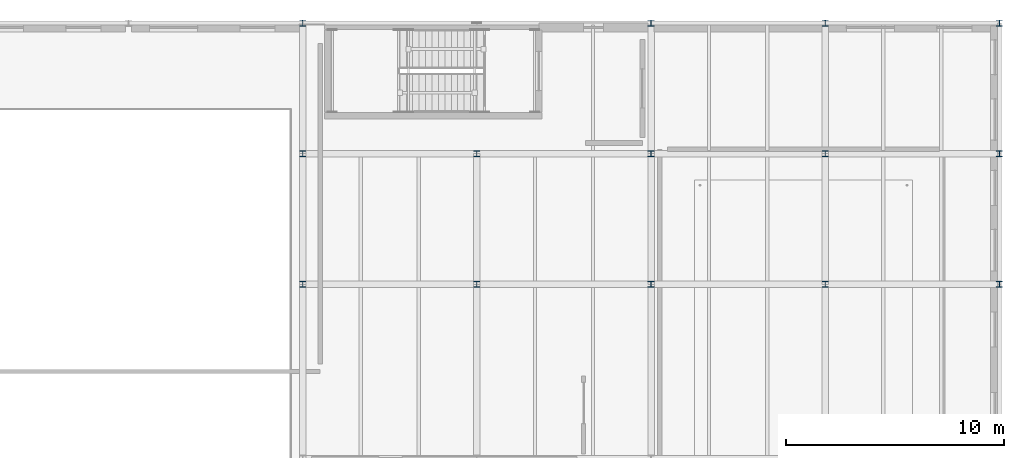
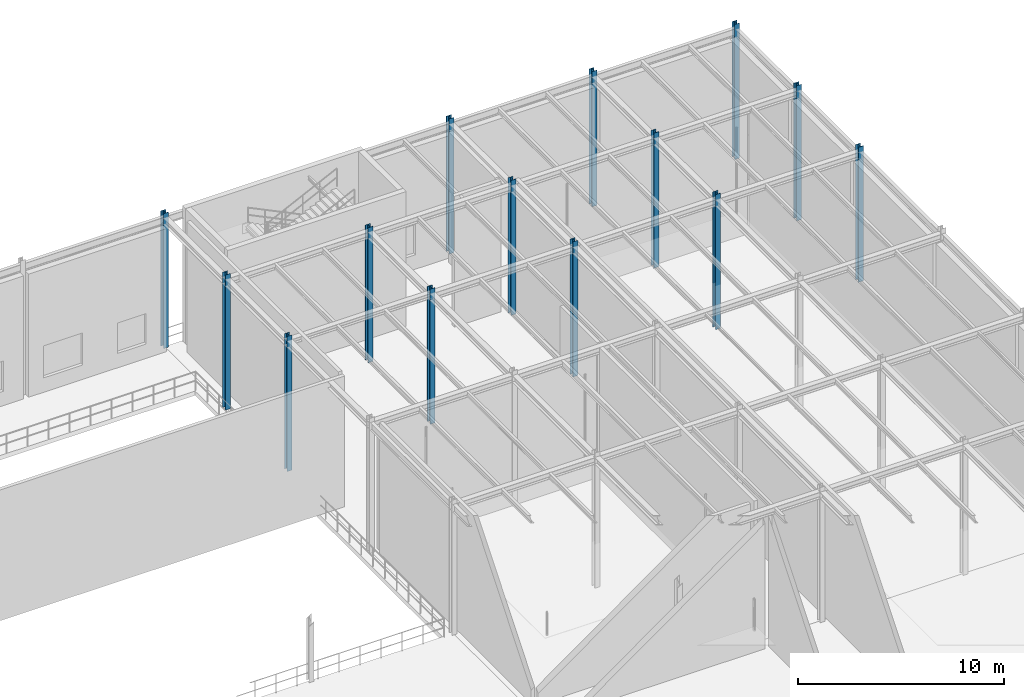
# One storey, part 19 of 138: 14 columns.
"""IFC4 building model written with IfcOpenShell, lengths in metres."""

from ifc_helpers import new_model, si_unit, direction, frame, origin, origin_2d, place, context, subcontext, project, spatial, i_section, extrude, material, material_profile, profile_set, type_object, element, save


model = new_model("IFC4")

# Units and contexts
model_context = context("Model", 3, precision=1e-05, world=origin(), true_north=direction((0.0, 1.0)))
body_context = subcontext(model_context, "Body", "Model", "MODEL_VIEW")
ifc_project = project(units=[si_unit("LENGTHUNIT", "METRE"), si_unit("AREAUNIT", "SQUARE_METRE"), si_unit("VOLUMEUNIT", "CUBIC_METRE"), si_unit("PLANEANGLEUNIT", "RADIAN"), si_unit("MASSUNIT", "GRAM", prefix="KILO")], contexts=[model_context])

# Site, building, storey
site_placement = place(None, origin())
site = spatial("IfcSite", under=ifc_project, at=site_placement, CompositionType="ELEMENT")
building_placement = place(site_placement, origin())
building = spatial("IfcBuilding", under=site, at=building_placement, Name="Sundkrona Museum", CompositionType="ELEMENT")
storey_placement = place(building_placement, frame((0.0, 0.0, 9.60009765625)))
storey = spatial("IfcBuildingStorey", under=building, at=storey_placement, Name="L02", CompositionType="ELEMENT", Elevation=9.60009765625)

# Columns
ifc_material = material(Name="Steel S355J2", Category="steel")
ifc_material_profile = material_profile(ifc_material, i_section(OverallWidth=0.280029296875, OverallDepth=0.280029296875, WebThickness=0.010498046875, FlangeThickness=0.01806640625, FilletRadius=0.02392578125, at=origin_2d()), Name="HEB 280")
ifc_profile_set = profile_set([ifc_material_profile], Name="Steel S355J2")
column_type = type_object("IfcColumnType", Name="C-HEB280", PredefinedType="COLUMN", material=ifc_profile_set)
for number, where, z_axis, x_axis, name in (
    (1, (136.0, 102.0, 0.0), (0.0, 0.0, 1.0), (1.0, 0.0, 0.0), "L02 Column P/18"),
    (2, (136.0, 108.0, 0.0), (0.0, 0.0, 1.0), (1.0, 0.0, 0.0), "L02 Column Q/18"),
    (3, (136.0, 114.0, 0.0), (0.0, 0.0, 1.0), (1.0, 0.0, 0.0), "L02 Column R/18"),
    (4, (144.0, 102.0, 0.0), (0.0, 0.0, 1.0), (1.0, 0.0, 0.0), "L02 Column P/19"),
    (5, (144.0, 108.0, 0.0), (0.0, 0.0, 1.0), (1.0, 0.0, 0.0), "L02 Column Q/19"),
    (6, (152.0, 102.0, 0.0), (0.0, 0.0, 1.0), (1.0, 0.0, 0.0), "L02 Column P/20"),
    (7, (152.0, 108.0, 0.0), (0.0, 0.0, 1.0), (1.0, 0.0, 0.0), "L02 Column Q/20"),
    (8, (152.0, 114.0, 0.0), (0.0, 0.0, 1.0), (1.0, 0.0, 0.0), "L02 Column R/20"),
    (9, (160.0, 102.0, 0.0), (0.0, 0.0, 1.0), (1.0, 0.0, 0.0), "L02 Column P/21"),
    (10, (160.0, 108.0, 0.0), (0.0, 0.0, 1.0), (1.0, 0.0, 0.0), "L02 Column Q/21"),
    (11, (160.0, 114.0, 0.0), (0.0, 0.0, 1.0), (1.0, 0.0, 0.0), "L02 Column R/21"),
    (12, (168.0, 102.0, 0.0), (0.0, 0.0, 1.0), (1.0, 0.0, 0.0), "L02 Column P/22"),
    (13, (168.0, 108.0, 0.0), (0.0, 0.0, 1.0), (1.0, 0.0, 0.0), "L02 Column Q/22"),
    (14, (168.0, 114.0, 0.0), (0.0, 0.0, 1.0), (1.0, 0.0, 0.0), "L02 Column R/22"),
):
    element("IfcColumn", number, at=place(storey_placement, frame(where, z_axis=z_axis, x_axis=x_axis)), inside=storey, type_object=column_type, Name=name, PredefinedType="COLUMN", context=body_context, shape_type="SweptSolid", body=[
        extrude(i_section(OverallWidth=0.280029296875, OverallDepth=0.280029296875, WebThickness=0.010498046875, FlangeThickness=0.01806640625, FilletRadius=0.02392578125, at=origin_2d()), origin(), (0.0, 0.0, 1.0), 8.0),
    ])

save(model, "model.ifc")
